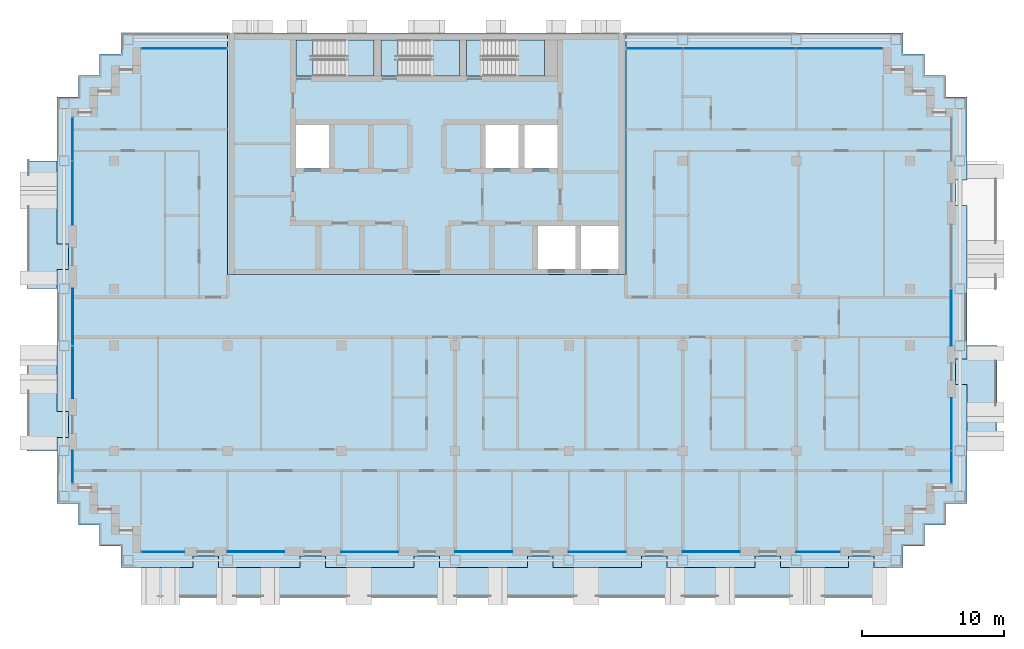
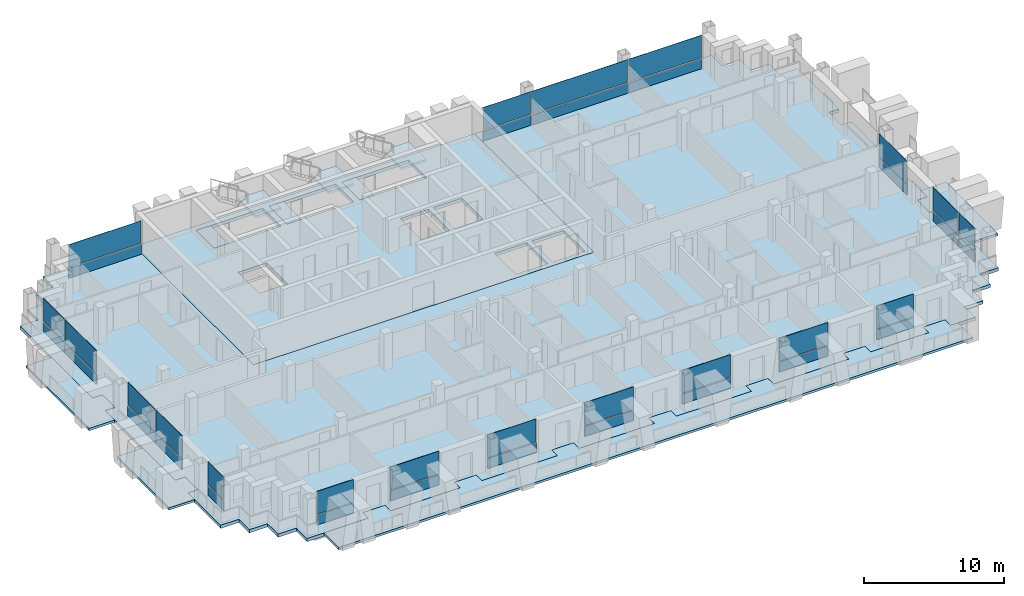
# One storey, part 6 of 16: 38 plates, 12 slabs, 17 elements without a shape of their own.
"""IFC4 building model written with IfcOpenShell, lengths in metres."""

from ifc_helpers import new_model, si_unit, direction, frame, origin, origin_2d, place, context, subcontext, project, spatial, polyline, rectangle, outline, extrude, material, layer, layer_set, type_object, element, aggregate, save


model = new_model("IFC4")

# Units and contexts
model_context = context("Model", 3, precision=1e-05, world=origin(), true_north=direction((0.0, 1.0)))
body_context = subcontext(model_context, "Body", "Model", "MODEL_VIEW")
ifc_project = project(units=[si_unit("LENGTHUNIT", "METRE"), si_unit("AREAUNIT", "SQUARE_METRE"), si_unit("VOLUMEUNIT", "CUBIC_METRE"), si_unit("PLANEANGLEUNIT", "RADIAN"), si_unit("MASSUNIT", "GRAM", prefix="KILO")], contexts=[model_context])

# Site, building, storey
site_placement = place(None, origin())
site = spatial("IfcSite", under=ifc_project, at=site_placement, CompositionType="ELEMENT")
building_placement = place(site_placement, origin())
building = spatial("IfcBuilding", under=site, at=building_placement, Name="Vidyagriha Tower", CompositionType="ELEMENT")
storey_placement = place(building_placement, frame((0.0, 0.0, 181.300048828125)))
storey = spatial("IfcBuildingStorey", under=building, at=storey_placement, Name="L47", CompositionType="ELEMENT", Elevation=181.300048828125)

# Curtain wall, plates
ifc_material_1 = material(Name="Aluminium and glass curtain wall", Category="aluminium")
curtain_wall_type = type_object("IfcCurtainWallType", Name="Dwelling skin unitised curtain wall", PredefinedType="USERDEFINED", material=ifc_material_1)
curtain_wall_1_placement = place(storey_placement, origin())
curtain_wall_1 = element("IfcCurtainWall", 1, at=curtain_wall_1_placement, inside=storey, type_object=curtain_wall_type, Name="CW1 dwelling skin", ObjectType="UNITISED", PredefinedType="USERDEFINED")
ifc_material_2 = material(Name="Glass dark ceramic-fritted spandrel", Category="glass")
ifc_layer_1 = layer(ifc_material_2, 0.0400390625)
ifc_layer_set_1 = layer_set([ifc_layer_1], Name="Glass dark ceramic-fritted spandrel")
plate_type_1 = type_object("IfcPlateType", Name="Ceramic-fritted spandrel panel", PredefinedType="CURTAIN_PANEL", material=ifc_layer_set_1)
plate_1_placement = place(storey_placement, frame((29.032470703125, 18.89990234375, 0.0), z_axis=(0.0, 0.0, 1.0), x_axis=(-1.0, 0.0, 0.0)))
plate_1 = element("IfcPlate", 2, at=plate_1_placement, type_object=plate_type_1, Name="CW1 panel 1.1", PredefinedType="CURTAIN_PANEL", context=body_context, shape_type="SweptSolid", body=[
    extrude(rectangle(XDim=5.9951171875, YDim=0.0400390625, at=origin_2d()), origin(), (0.0, 0.0, 1.0), 0.85009765625),
])
plate_2_placement = place(storey_placement, frame((16.017578125, 18.89990234375, 0.0), z_axis=(0.0, 0.0, 1.0), x_axis=(-1.0, 0.0, 0.0)))
plate_2 = element("IfcPlate", 3, at=plate_2_placement, type_object=plate_type_1, Name="CW1 panel 3.1", PredefinedType="CURTAIN_PANEL", context=body_context, shape_type="SweptSolid", body=[
    extrude(rectangle(XDim=3.89501953125, YDim=0.0400390625, at=origin_2d()), origin(), (0.0, 0.0, 1.0), 0.85009765625),
])

# Curtain wall, plate
curtain_wall_2_placement = place(storey_placement, origin())
curtain_wall_2 = element("IfcCurtainWall", 4, at=curtain_wall_2_placement, inside=storey, type_object=curtain_wall_type, Name="CW1 dwelling skin", ObjectType="UNITISED", PredefinedType="USERDEFINED")
plate_3_placement = place(storey_placement, frame((-17.050048828125, 18.89990234375, 0.0), z_axis=(0.0, 0.0, 1.0), x_axis=(-1.0, 0.0, 0.0)))
plate_3 = element("IfcPlate", 5, at=plate_3_placement, type_object=plate_type_1, Name="CW1 panel 1.1", PredefinedType="CURTAIN_PANEL", context=body_context, shape_type="SweptSolid", body=[
    extrude(rectangle(XDim=5.9599609375, YDim=0.0400390625, at=origin_2d()), origin(), (0.0, 0.0, 1.0), 0.85009765625),
])

# Curtain wall, plates
curtain_wall_3_placement = place(storey_placement, origin())
curtain_wall_3 = element("IfcCurtainWall", 6, at=curtain_wall_3_placement, inside=storey, type_object=curtain_wall_type, Name="CW1 dwelling skin", ObjectType="UNITISED", PredefinedType="USERDEFINED")
plate_4_placement = place(storey_placement, frame((-24.89990234375, 12.532470703125, 0.0), z_axis=(0.0, 0.0, 1.0), x_axis=(0.0, -1.0, 0.0)))
plate_4 = element("IfcPlate", 7, at=plate_4_placement, type_object=plate_type_1, Name="CW1 panel 1.1", PredefinedType="CURTAIN_PANEL", context=body_context, shape_type="SweptSolid", body=[
    extrude(rectangle(XDim=2.9951171875, YDim=0.0400390625, at=origin_2d()), origin(), (0.0, 0.0, 1.0), 0.85009765625),
])
plate_5_placement = place(storey_placement, frame((-24.89990234375, 8.732421875, 0.0), z_axis=(0.0, 0.0, 1.0), x_axis=(0.0, -1.0, 0.0)))
plate_5 = element("IfcPlate", 8, at=plate_5_placement, type_object=plate_type_1, Name="CW1 panel 2.1", PredefinedType="CURTAIN_PANEL", context=body_context, shape_type="SweptSolid", body=[
    extrude(rectangle(XDim=4.465087890625, YDim=0.0400390625, at=origin_2d()), origin(), (0.0, 0.0, 1.0), 0.85009765625),
])

# Curtain wall, plate
curtain_wall_4_placement = place(storey_placement, origin())
curtain_wall_4 = element("IfcCurtainWall", 9, at=curtain_wall_4_placement, inside=storey, type_object=curtain_wall_type, Name="CW1 dwelling skin", ObjectType="UNITISED", PredefinedType="USERDEFINED")
plate_6_placement = place(storey_placement, frame((-24.89990234375, -10.514892578125, 0.0), z_axis=(0.0, 0.0, 1.0), x_axis=(0.0, -1.0, 0.0)))
plate_6 = element("IfcPlate", 10, at=plate_6_placement, type_object=plate_type_1, Name="CW1 panel 1.1", PredefinedType="CURTAIN_PANEL", context=body_context, shape_type="SweptSolid", body=[
    extrude(rectangle(XDim=2.22998046875, YDim=0.0400390625, at=origin_2d()), origin(), (0.0, 0.0, 1.0), 0.85009765625),
])

curtain_wall_5_placement = place(storey_placement, origin())
curtain_wall_5 = element("IfcCurtainWall", 11, at=curtain_wall_5_placement, inside=storey, type_object=curtain_wall_type, Name="CW1 dwelling skin", ObjectType="UNITISED", PredefinedType="USERDEFINED")
plate_7_placement = place(storey_placement, frame((-18.5400390625, -16.5, 0.0)))
plate_7 = element("IfcPlate", 12, at=plate_7_placement, type_object=plate_type_1, Name="CW1 panel 1.1", PredefinedType="CURTAIN_PANEL", context=body_context, shape_type="SweptSolid", body=[
    extrude(rectangle(XDim=2.97998046875, YDim=0.0400390625, at=origin_2d()), origin(), (0.0, 0.0, 1.0), 0.85009765625),
])

curtain_wall_6_placement = place(storey_placement, origin())
curtain_wall_6 = element("IfcCurtainWall", 13, at=curtain_wall_6_placement, inside=storey, type_object=curtain_wall_type, Name="CW1 dwelling skin", ObjectType="UNITISED", PredefinedType="USERDEFINED")
plate_8_placement = place(storey_placement, frame((-4.0, -16.5, 0.0)))
plate_8 = element("IfcPlate", 14, at=plate_8_placement, type_object=plate_type_1, Name="CW1 panel 1.1", PredefinedType="CURTAIN_PANEL", context=body_context, shape_type="SweptSolid", body=[
    extrude(rectangle(XDim=4.0, YDim=0.0400390625, at=origin_2d()), origin(), (0.0, 0.0, 1.0), 0.85009765625),
])

curtain_wall_7_placement = place(storey_placement, origin())
curtain_wall_7 = element("IfcCurtainWall", 15, at=curtain_wall_7_placement, inside=storey, type_object=curtain_wall_type, Name="CW1 dwelling skin", ObjectType="UNITISED", PredefinedType="USERDEFINED")
plate_9_placement = place(storey_placement, frame((12.0, -16.5, 0.0)))
plate_9 = element("IfcPlate", 16, at=plate_9_placement, type_object=plate_type_1, Name="CW1 panel 1.1", PredefinedType="CURTAIN_PANEL", context=body_context, shape_type="SweptSolid", body=[
    extrude(rectangle(XDim=4.0, YDim=0.0400390625, at=origin_2d()), origin(), (0.0, 0.0, 1.0), 0.85009765625),
])

curtain_wall_8_placement = place(storey_placement, origin())
curtain_wall_8 = element("IfcCurtainWall", 17, at=curtain_wall_8_placement, inside=storey, type_object=curtain_wall_type, Name="CW1 dwelling skin", ObjectType="UNITISED", PredefinedType="USERDEFINED")
plate_10_placement = place(storey_placement, frame((27.52490234375, -16.5, 0.0)))
plate_10 = element("IfcPlate", 18, at=plate_10_placement, type_object=plate_type_1, Name="CW1 panel 1.1", PredefinedType="CURTAIN_PANEL", context=body_context, shape_type="SweptSolid", body=[
    extrude(rectangle(XDim=3.050048828125, YDim=0.0400390625, at=origin_2d()), origin(), (0.0, 0.0, 1.0), 0.85009765625),
])

# Curtain wall, plates
curtain_wall_9_placement = place(storey_placement, origin())
curtain_wall_9 = element("IfcCurtainWall", 19, at=curtain_wall_9_placement, inside=storey, type_object=curtain_wall_type, Name="CW1 dwelling skin", ObjectType="UNITISED", PredefinedType="USERDEFINED")
plate_11_placement = place(storey_placement, frame((36.89990234375, -10.532470703125, 0.0), z_axis=(0.0, 0.0, 1.0), x_axis=(0.0, 1.0, 0.0)))
plate_11 = element("IfcPlate", 20, at=plate_11_placement, type_object=plate_type_1, Name="CW1 panel 1.1", PredefinedType="CURTAIN_PANEL", context=body_context, shape_type="SweptSolid", body=[
    extrude(rectangle(XDim=2.195068359375, YDim=0.0400390625, at=origin_2d()), origin(), (0.0, 0.0, 1.0), 0.85009765625),
])
plate_12_placement = place(storey_placement, frame((36.89990234375, -7.532470703125, 0.0), z_axis=(0.0, 0.0, 1.0), x_axis=(0.0, 1.0, 0.0)))
plate_12 = element("IfcPlate", 21, at=plate_12_placement, type_object=plate_type_1, Name="CW1 panel 2.1", PredefinedType="CURTAIN_PANEL", context=body_context, shape_type="SweptSolid", body=[
    extrude(rectangle(XDim=3.6650390625, YDim=0.0400390625, at=origin_2d()), origin(), (0.0, 0.0, 1.0), 0.85009765625),
])

# Slab
ifc_material_3 = material(Name="Concrete C60/75", Category="concrete")
ifc_layer_2 = layer(ifc_material_3, 0.280029296875)
ifc_layer_set_2 = layer_set([ifc_layer_2], Name="Concrete C60/75")
slab_type_1 = type_object("IfcSlabType", Name="Core floor slab 280 mm", PredefinedType="FLOOR", material=ifc_layer_set_2)
slab_1_placement = place(storey_placement, frame((0.0, 0.0, -0.280029296875)))
element("IfcSlab", 22, at=slab_1_placement, inside=storey, type_object=slab_type_1, Name="L47 core floor 1", PredefinedType="FLOOR", context=body_context, shape_type="SweptSolid", body=[
    extrude(outline(polyline([(-14.0, 3.0), (-14.0, 20.0), (14.0, 20.0), (14.0, 3.0), (-14.0, 3.0)]), holes=[polyline([(13.5, 6.39990234375), (10.855712890625, 6.39990234375), (10.855712890625, 3.39990234375), (13.5, 3.39990234375), (13.5, 6.39990234375)]), polyline([(10.45556640625, 6.39990234375), (7.81103515625, 6.39990234375), (7.81103515625, 3.39990234375), (10.45556640625, 3.39990234375), (10.45556640625, 6.39990234375)]), polyline([(9.199951171875, 13.5), (6.86669921875, 13.5), (6.86669921875, 10.5), (9.199951171875, 10.5), (9.199951171875, 13.5)]), polyline([(2.800048828125, 19.5), (2.800048828125, 16.949951171875), (4.0, 16.949951171875), (8.300048828125, 16.949951171875), (8.300048828125, 19.5), (4.0, 19.5), (2.800048828125, 19.5)]), polyline([(4.13330078125, 13.5), (4.13330078125, 10.5), (6.466796875, 10.5), (6.466796875, 13.5), (4.13330078125, 13.5)]), polyline([(-2.0, 19.5), (-3.199951171875, 19.5), (-3.199951171875, 16.949951171875), (-2.0, 16.949951171875), (2.300048828125, 16.949951171875), (2.300048828125, 19.5), (-2.0, 19.5)]), polyline([(-9.199951171875, 19.5), (-9.199951171875, 16.949951171875), (-8.0, 16.949951171875), (-3.699951171875, 16.949951171875), (-3.699951171875, 19.5), (-8.0, 19.5), (-9.199951171875, 19.5)]), polyline([(-9.199951171875, 13.5), (-9.199951171875, 10.5), (-6.86669921875, 10.5), (-6.86669921875, 13.5), (-9.199951171875, 13.5)])]), origin(), (0.0, 0.0, 1.0), 0.280029296875),
])

# Plate
ifc_material_4 = material(Name="Glass dark ceramic-fritted", Category="glass")
ifc_layer_3 = layer(ifc_material_4, 0.028076171875)
ifc_layer_set_3 = layer_set([ifc_layer_3], Name="Glass dark ceramic-fritted")
plate_type_2 = type_object("IfcPlateType", Name="Dark ceramic-fritted vision glass panel", PredefinedType="CURTAIN_PANEL", material=ifc_layer_set_3)
plate_13_placement = place(storey_placement, frame((29.032470703125, 18.89990234375, 0.9501953125), z_axis=(0.0, 0.0, 1.0), x_axis=(-1.0, 0.0, 0.0)))
plate_13 = element("IfcPlate", 23, at=plate_13_placement, type_object=plate_type_2, Name="CW1 panel 1.2", PredefinedType="CURTAIN_PANEL", context=body_context, shape_type="SweptSolid", body=[
    extrude(rectangle(XDim=5.9951171875, YDim=0.028076171875, at=origin_2d()), origin(), (0.0, 0.0, 1.0), 1.969970703125),
])

plate_14_placement = place(storey_placement, frame((22.0, 18.89990234375, 0.9501953125), z_axis=(0.0, 0.0, 1.0), x_axis=(-1.0, 0.0, 0.0)))
plate_14 = element("IfcPlate", 24, at=plate_14_placement, type_object=plate_type_2, Name="CW1 panel 2.2", PredefinedType="CURTAIN_PANEL", context=body_context, shape_type="SweptSolid", body=[
    extrude(rectangle(XDim=7.929931640625, YDim=0.028076171875, at=origin_2d()), origin(), (0.0, 0.0, 1.0), 1.969970703125),
])

plate_15_placement = place(storey_placement, frame((16.017578125, 18.89990234375, 0.9501953125), z_axis=(0.0, 0.0, 1.0), x_axis=(-1.0, 0.0, 0.0)))
plate_15 = element("IfcPlate", 25, at=plate_15_placement, type_object=plate_type_2, Name="CW1 panel 3.2", PredefinedType="CURTAIN_PANEL", context=body_context, shape_type="SweptSolid", body=[
    extrude(rectangle(XDim=3.89501953125, YDim=0.028076171875, at=origin_2d()), origin(), (0.0, 0.0, 1.0), 1.969970703125),
])

plate_16_placement = place(storey_placement, frame((-17.050048828125, 18.89990234375, 0.9501953125), z_axis=(0.0, 0.0, 1.0), x_axis=(-1.0, 0.0, 0.0)))
plate_16 = element("IfcPlate", 26, at=plate_16_placement, type_object=plate_type_2, Name="CW1 panel 1.2", PredefinedType="CURTAIN_PANEL", context=body_context, shape_type="SweptSolid", body=[
    extrude(rectangle(XDim=5.9599609375, YDim=0.028076171875, at=origin_2d()), origin(), (0.0, 0.0, 1.0), 1.969970703125),
])

aggregate(curtain_wall_2, [plate_3, plate_16])

plate_17_placement = place(storey_placement, frame((-24.89990234375, 12.532470703125, 0.9501953125), z_axis=(0.0, 0.0, 1.0), x_axis=(0.0, -1.0, 0.0)))
plate_17 = element("IfcPlate", 27, at=plate_17_placement, type_object=plate_type_2, Name="CW1 panel 1.2", PredefinedType="CURTAIN_PANEL", context=body_context, shape_type="SweptSolid", body=[
    extrude(rectangle(XDim=2.9951171875, YDim=0.028076171875, at=origin_2d()), origin(), (0.0, 0.0, 1.0), 1.969970703125),
])

plate_18_placement = place(storey_placement, frame((-24.89990234375, 8.732421875, 0.9501953125), z_axis=(0.0, 0.0, 1.0), x_axis=(0.0, -1.0, 0.0)))
plate_18 = element("IfcPlate", 28, at=plate_18_placement, type_object=plate_type_2, Name="CW1 panel 2.2", PredefinedType="CURTAIN_PANEL", context=body_context, shape_type="SweptSolid", body=[
    extrude(rectangle(XDim=4.465087890625, YDim=0.028076171875, at=origin_2d()), origin(), (0.0, 0.0, 1.0), 1.969970703125),
])

aggregate(curtain_wall_3, [plate_4, plate_17, plate_5, plate_18])

# Curtain wall, plates
curtain_wall_10_placement = place(storey_placement, origin())
curtain_wall_10 = element("IfcCurtainWall", 29, at=curtain_wall_10_placement, inside=storey, type_object=curtain_wall_type, Name="CW1 dwelling skin", ObjectType="UNITISED", PredefinedType="USERDEFINED")
plate_19_placement = place(storey_placement, frame((-24.89990234375, 0.017578125, 0.9501953125), z_axis=(0.0, 0.0, 1.0), x_axis=(0.0, -1.0, 0.0)))
plate_19 = element("IfcPlate", 30, at=plate_19_placement, type_object=plate_type_2, Name="CW1 panel 1.2", PredefinedType="CURTAIN_PANEL", context=body_context, shape_type="SweptSolid", body=[
    extrude(rectangle(XDim=3.965087890625, YDim=0.028076171875, at=origin_2d()), origin(), (0.0, 0.0, 1.0), 1.969970703125),
])
plate_20_placement = place(storey_placement, frame((-24.89990234375, -3.867431640625, 0.9501953125), z_axis=(0.0, 0.0, 1.0), x_axis=(0.0, -1.0, 0.0)))
plate_20 = element("IfcPlate", 31, at=plate_20_placement, type_object=plate_type_2, Name="CW1 panel 2.2", PredefinedType="CURTAIN_PANEL", context=body_context, shape_type="SweptSolid", body=[
    extrude(rectangle(XDim=3.6650390625, YDim=0.028076171875, at=origin_2d()), origin(), (0.0, 0.0, 1.0), 1.969970703125),
])

# Plate
plate_21_placement = place(storey_placement, frame((-24.89990234375, -10.514892578125, 0.9501953125), z_axis=(0.0, 0.0, 1.0), x_axis=(0.0, -1.0, 0.0)))
plate_21 = element("IfcPlate", 32, at=plate_21_placement, type_object=plate_type_2, Name="CW1 panel 1.2", PredefinedType="CURTAIN_PANEL", context=body_context, shape_type="SweptSolid", body=[
    extrude(rectangle(XDim=2.22998046875, YDim=0.028076171875, at=origin_2d()), origin(), (0.0, 0.0, 1.0), 1.969970703125),
])

aggregate(curtain_wall_4, [plate_6, plate_21])

plate_22_placement = place(storey_placement, frame((-18.5400390625, -16.5, 0.9501953125)))
plate_22 = element("IfcPlate", 33, at=plate_22_placement, type_object=plate_type_2, Name="CW1 panel 1.2", PredefinedType="CURTAIN_PANEL", context=body_context, shape_type="SweptSolid", body=[
    extrude(rectangle(XDim=2.97998046875, YDim=0.028076171875, at=origin_2d()), origin(), (0.0, 0.0, 1.0), 1.969970703125),
])

aggregate(curtain_wall_5, [plate_7, plate_22])

# Curtain wall, plate
curtain_wall_11_placement = place(storey_placement, origin())
curtain_wall_11 = element("IfcCurtainWall", 34, at=curtain_wall_11_placement, inside=storey, type_object=curtain_wall_type, Name="CW1 dwelling skin", ObjectType="UNITISED", PredefinedType="USERDEFINED")
plate_23_placement = place(storey_placement, frame((-12.0, -16.5, 0.9501953125)))
plate_23 = element("IfcPlate", 35, at=plate_23_placement, type_object=plate_type_2, Name="CW1 panel 1.2", PredefinedType="CURTAIN_PANEL", context=body_context, shape_type="SweptSolid", body=[
    extrude(rectangle(XDim=4.0, YDim=0.028076171875, at=origin_2d()), origin(), (0.0, 0.0, 1.0), 1.969970703125),
])

# Plate
plate_24_placement = place(storey_placement, frame((-4.0, -16.5, 0.9501953125)))
plate_24 = element("IfcPlate", 36, at=plate_24_placement, type_object=plate_type_2, Name="CW1 panel 1.2", PredefinedType="CURTAIN_PANEL", context=body_context, shape_type="SweptSolid", body=[
    extrude(rectangle(XDim=4.0, YDim=0.028076171875, at=origin_2d()), origin(), (0.0, 0.0, 1.0), 1.969970703125),
])

aggregate(curtain_wall_6, [plate_8, plate_24])

# Curtain wall, plate
curtain_wall_12_placement = place(storey_placement, origin())
curtain_wall_12 = element("IfcCurtainWall", 37, at=curtain_wall_12_placement, inside=storey, type_object=curtain_wall_type, Name="CW1 dwelling skin", ObjectType="UNITISED", PredefinedType="USERDEFINED")
plate_25_placement = place(storey_placement, frame((4.0, -16.5, 0.9501953125)))
plate_25 = element("IfcPlate", 38, at=plate_25_placement, type_object=plate_type_2, Name="CW1 panel 1.2", PredefinedType="CURTAIN_PANEL", context=body_context, shape_type="SweptSolid", body=[
    extrude(rectangle(XDim=4.0, YDim=0.028076171875, at=origin_2d()), origin(), (0.0, 0.0, 1.0), 1.969970703125),
])

# Plate
plate_26_placement = place(storey_placement, frame((12.0, -16.5, 0.9501953125)))
plate_26 = element("IfcPlate", 39, at=plate_26_placement, type_object=plate_type_2, Name="CW1 panel 1.2", PredefinedType="CURTAIN_PANEL", context=body_context, shape_type="SweptSolid", body=[
    extrude(rectangle(XDim=4.0, YDim=0.028076171875, at=origin_2d()), origin(), (0.0, 0.0, 1.0), 1.969970703125),
])

aggregate(curtain_wall_7, [plate_9, plate_26])

# Curtain wall, plate
curtain_wall_13_placement = place(storey_placement, origin())
curtain_wall_13 = element("IfcCurtainWall", 40, at=curtain_wall_13_placement, inside=storey, type_object=curtain_wall_type, Name="CW1 dwelling skin", ObjectType="UNITISED", PredefinedType="USERDEFINED")
plate_27_placement = place(storey_placement, frame((20.0, -16.5, 0.9501953125)))
plate_27 = element("IfcPlate", 41, at=plate_27_placement, type_object=plate_type_2, Name="CW1 panel 1.2", PredefinedType="CURTAIN_PANEL", context=body_context, shape_type="SweptSolid", body=[
    extrude(rectangle(XDim=4.0, YDim=0.028076171875, at=origin_2d()), origin(), (0.0, 0.0, 1.0), 1.969970703125),
])

# Plate
plate_28_placement = place(storey_placement, frame((27.52490234375, -16.5, 0.9501953125)))
plate_28 = element("IfcPlate", 42, at=plate_28_placement, type_object=plate_type_2, Name="CW1 panel 1.2", PredefinedType="CURTAIN_PANEL", context=body_context, shape_type="SweptSolid", body=[
    extrude(rectangle(XDim=3.050048828125, YDim=0.028076171875, at=origin_2d()), origin(), (0.0, 0.0, 1.0), 1.969970703125),
])

aggregate(curtain_wall_8, [plate_10, plate_28])

plate_29_placement = place(storey_placement, frame((36.89990234375, -10.532470703125, 0.9501953125), z_axis=(0.0, 0.0, 1.0), x_axis=(0.0, 1.0, 0.0)))
plate_29 = element("IfcPlate", 43, at=plate_29_placement, type_object=plate_type_2, Name="CW1 panel 1.2", PredefinedType="CURTAIN_PANEL", context=body_context, shape_type="SweptSolid", body=[
    extrude(rectangle(XDim=2.195068359375, YDim=0.028076171875, at=origin_2d()), origin(), (0.0, 0.0, 1.0), 1.969970703125),
])

plate_30_placement = place(storey_placement, frame((36.89990234375, -7.532470703125, 0.9501953125), z_axis=(0.0, 0.0, 1.0), x_axis=(0.0, 1.0, 0.0)))
plate_30 = element("IfcPlate", 44, at=plate_30_placement, type_object=plate_type_2, Name="CW1 panel 2.2", PredefinedType="CURTAIN_PANEL", context=body_context, shape_type="SweptSolid", body=[
    extrude(rectangle(XDim=3.6650390625, YDim=0.028076171875, at=origin_2d()), origin(), (0.0, 0.0, 1.0), 1.969970703125),
])

aggregate(curtain_wall_9, [plate_11, plate_29, plate_12, plate_30])

# Curtain wall, plate
curtain_wall_14_placement = place(storey_placement, origin())
curtain_wall_14 = element("IfcCurtainWall", 45, at=curtain_wall_14_placement, inside=storey, type_object=curtain_wall_type, Name="CW1 dwelling skin", ObjectType="UNITISED", PredefinedType="USERDEFINED")
plate_31_placement = place(storey_placement, frame((36.89990234375, -0.017578125, 0.9501953125), z_axis=(0.0, 0.0, 1.0), x_axis=(0.0, 1.0, 0.0)))
plate_31 = element("IfcPlate", 46, at=plate_31_placement, type_object=plate_type_2, Name="CW1 panel 1.2", PredefinedType="CURTAIN_PANEL", context=body_context, shape_type="SweptSolid", body=[
    extrude(rectangle(XDim=3.965087890625, YDim=0.028076171875, at=origin_2d()), origin(), (0.0, 0.0, 1.0), 1.969970703125),
])

# Slabs
ifc_material_5 = material(Name="Concrete C40/50", Category="concrete")
ifc_layer_4 = layer(ifc_material_5, 0.280029296875)
ifc_layer_set_4 = layer_set([ifc_layer_4], Name="Concrete C40/50")
slab_type_2 = type_object("IfcSlabType", Name="Exit stair floor landing 280 mm", PredefinedType="LANDING", material=ifc_layer_set_4)
slab_2_placement = place(storey_placement, frame((0.0, 0.0, -0.280029296875)))
element("IfcSlab", 47, at=slab_2_placement, inside=storey, type_object=slab_type_2, Name="ST1 floor landing L47", PredefinedType="LANDING", context=body_context, shape_type="SweptSolid", body=[
    extrude(outline(polyline([(-9.199951171875, 16.949951171875), (-8.0, 16.949951171875), (-8.0, 19.5), (-9.199951171875, 19.5), (-9.199951171875, 16.949951171875)])), origin(), (0.0, 0.0, 1.0), 0.280029296875),
])
slab_3_placement = place(storey_placement, frame((0.0, 0.0, -0.280029296875)))
element("IfcSlab", 48, at=slab_3_placement, inside=storey, type_object=slab_type_2, Name="ST2 floor landing L47", PredefinedType="LANDING", context=body_context, shape_type="SweptSolid", body=[
    extrude(outline(polyline([(-3.199951171875, 16.949951171875), (-2.0, 16.949951171875), (-2.0, 19.5), (-3.199951171875, 19.5), (-3.199951171875, 16.949951171875)])), origin(), (0.0, 0.0, 1.0), 0.280029296875),
])
slab_4_placement = place(storey_placement, frame((0.0, 0.0, -0.280029296875)))
element("IfcSlab", 49, at=slab_4_placement, inside=storey, type_object=slab_type_2, Name="ST3 floor landing L47", PredefinedType="LANDING", context=body_context, shape_type="SweptSolid", body=[
    extrude(outline(polyline([(2.800048828125, 16.949951171875), (4.0, 16.949951171875), (4.0, 19.5), (2.800048828125, 19.5), (2.800048828125, 16.949951171875)])), origin(), (0.0, 0.0, 1.0), 0.280029296875),
])

# Stair, slab
ifc_material_6 = material(Name="Concrete C40/50", Category="concrete")
stair_type = type_object("IfcStairType", Name="Exit stair, half-turn, precast flights", PredefinedType="HALF_TURN_STAIR", material=ifc_material_6)
stair_1_placement = place(storey_placement, origin())
stair_1 = element("IfcStair", 50, at=stair_1_placement, inside=storey, type_object=stair_type, Name="L47 Exit Stair ST1", PredefinedType="HALF_TURN_STAIR")
ifc_material_7 = material(Name="Concrete C40/50", Category="concrete")
ifc_layer_5 = layer(ifc_material_7, 0.199951171875)
ifc_layer_set_5 = layer_set([ifc_layer_5], Name="Concrete C40/50")
slab_type_3 = type_object("IfcSlabType", Name="Exit stair landing 200 mm", PredefinedType="LANDING", material=ifc_layer_set_5)
slab_5_placement = place(storey_placement, frame((0.0, 0.0, 1.39990234375)))
slab_5 = element("IfcSlab", 51, at=slab_5_placement, type_object=slab_type_3, Name="ST1 landing 1", PredefinedType="LANDING", context=body_context, shape_type="SweptSolid", body=[
    extrude(outline(polyline([(-5.760009765625, 16.949951171875), (-3.699951171875, 16.949951171875), (-3.699951171875, 19.5), (-5.760009765625, 19.5), (-5.760009765625, 16.949951171875)])), origin(), (0.0, 0.0, 1.0), 0.199951171875),
])
aggregate(stair_1, [slab_5])

stair_2_placement = place(storey_placement, origin())
stair_2 = element("IfcStair", 52, at=stair_2_placement, inside=storey, type_object=stair_type, Name="L47 Exit Stair ST2", PredefinedType="HALF_TURN_STAIR")
slab_6_placement = place(storey_placement, frame((0.0, 0.0, 1.39990234375)))
slab_6 = element("IfcSlab", 53, at=slab_6_placement, type_object=slab_type_3, Name="ST2 landing 1", PredefinedType="LANDING", context=body_context, shape_type="SweptSolid", body=[
    extrude(outline(polyline([(0.239990234375, 16.949951171875), (2.300048828125, 16.949951171875), (2.300048828125, 19.5), (0.239990234375, 19.5), (0.239990234375, 16.949951171875)])), origin(), (0.0, 0.0, 1.0), 0.199951171875),
])
aggregate(stair_2, [slab_6])

stair_3_placement = place(storey_placement, origin())
stair_3 = element("IfcStair", 54, at=stair_3_placement, inside=storey, type_object=stair_type, Name="L47 Exit Stair ST3", PredefinedType="HALF_TURN_STAIR")
slab_7_placement = place(storey_placement, frame((0.0, 0.0, 1.39990234375)))
slab_7 = element("IfcSlab", 55, at=slab_7_placement, type_object=slab_type_3, Name="ST3 landing 1", PredefinedType="LANDING", context=body_context, shape_type="SweptSolid", body=[
    extrude(outline(polyline([(6.239990234375, 16.949951171875), (8.300048828125, 16.949951171875), (8.300048828125, 19.5), (6.239990234375, 19.5), (6.239990234375, 16.949951171875)])), origin(), (0.0, 0.0, 1.0), 0.199951171875),
])
aggregate(stair_3, [slab_7])

# Plate
ifc_material_8 = material(Name="Aluminium black anodised", Category="aluminium")
ifc_layer_6 = layer(ifc_material_8, 0.06005859375)
ifc_layer_set_6 = layer_set([ifc_layer_6], Name="Aluminium black anodised")
plate_type_3 = type_object("IfcPlateType", Name="Operable black-metal vent panel", PredefinedType="CURTAIN_PANEL", material=ifc_layer_set_6)
plate_32_placement = place(storey_placement, frame((22.0, 18.89990234375, 0.0), z_axis=(0.0, 0.0, 1.0), x_axis=(-1.0, 0.0, 0.0)))
plate_32 = element("IfcPlate", 56, at=plate_32_placement, type_object=plate_type_3, Name="CW1 panel 2.1", PredefinedType="CURTAIN_PANEL", context=body_context, shape_type="SweptSolid", body=[
    extrude(rectangle(XDim=7.929931640625, YDim=0.06005859375, at=origin_2d()), origin(), (0.0, 0.0, 1.0), 0.85009765625),
])

aggregate(curtain_wall_1, [plate_1, plate_13, plate_32, plate_14, plate_2, plate_15])

plate_33_placement = place(storey_placement, frame((-24.89990234375, 0.017578125, 0.0), z_axis=(0.0, 0.0, 1.0), x_axis=(0.0, -1.0, 0.0)))
plate_33 = element("IfcPlate", 57, at=plate_33_placement, type_object=plate_type_3, Name="CW1 panel 1.1", PredefinedType="CURTAIN_PANEL", context=body_context, shape_type="SweptSolid", body=[
    extrude(rectangle(XDim=3.965087890625, YDim=0.06005859375, at=origin_2d()), origin(), (0.0, 0.0, 1.0), 0.85009765625),
])

plate_34_placement = place(storey_placement, frame((-24.89990234375, -3.867431640625, 0.0), z_axis=(0.0, 0.0, 1.0), x_axis=(0.0, -1.0, 0.0)))
plate_34 = element("IfcPlate", 58, at=plate_34_placement, type_object=plate_type_3, Name="CW1 panel 2.1", PredefinedType="CURTAIN_PANEL", context=body_context, shape_type="SweptSolid", body=[
    extrude(rectangle(XDim=3.6650390625, YDim=0.06005859375, at=origin_2d()), origin(), (0.0, 0.0, 1.0), 0.85009765625),
])

aggregate(curtain_wall_10, [plate_33, plate_19, plate_34, plate_20])

plate_35_placement = place(storey_placement, frame((-12.0, -16.5, 0.0)))
plate_35 = element("IfcPlate", 59, at=plate_35_placement, type_object=plate_type_3, Name="CW1 panel 1.1", PredefinedType="CURTAIN_PANEL", context=body_context, shape_type="SweptSolid", body=[
    extrude(rectangle(XDim=4.0, YDim=0.06005859375, at=origin_2d()), origin(), (0.0, 0.0, 1.0), 0.85009765625),
])

aggregate(curtain_wall_11, [plate_35, plate_23])

plate_36_placement = place(storey_placement, frame((4.0, -16.5, 0.0)))
plate_36 = element("IfcPlate", 60, at=plate_36_placement, type_object=plate_type_3, Name="CW1 panel 1.1", PredefinedType="CURTAIN_PANEL", context=body_context, shape_type="SweptSolid", body=[
    extrude(rectangle(XDim=4.0, YDim=0.06005859375, at=origin_2d()), origin(), (0.0, 0.0, 1.0), 0.85009765625),
])

aggregate(curtain_wall_12, [plate_36, plate_25])

plate_37_placement = place(storey_placement, frame((20.0, -16.5, 0.0)))
plate_37 = element("IfcPlate", 61, at=plate_37_placement, type_object=plate_type_3, Name="CW1 panel 1.1", PredefinedType="CURTAIN_PANEL", context=body_context, shape_type="SweptSolid", body=[
    extrude(rectangle(XDim=4.0, YDim=0.06005859375, at=origin_2d()), origin(), (0.0, 0.0, 1.0), 0.85009765625),
])

aggregate(curtain_wall_13, [plate_37, plate_27])

plate_38_placement = place(storey_placement, frame((36.89990234375, -0.017578125, 0.0), z_axis=(0.0, 0.0, 1.0), x_axis=(0.0, 1.0, 0.0)))
plate_38 = element("IfcPlate", 62, at=plate_38_placement, type_object=plate_type_3, Name="CW1 panel 1.1", PredefinedType="CURTAIN_PANEL", context=body_context, shape_type="SweptSolid", body=[
    extrude(rectangle(XDim=3.965087890625, YDim=0.06005859375, at=origin_2d()), origin(), (0.0, 0.0, 1.0), 0.85009765625),
])

aggregate(curtain_wall_14, [plate_38, plate_31])

# Slabs
ifc_material_9 = material(Name="Concrete C50/60", Category="concrete")
ifc_layer_7 = layer(ifc_material_9, 0.280029296875)
ifc_layer_set_7 = layer_set([ifc_layer_7], Name="Concrete C50/60")
slab_type_4 = type_object("IfcSlabType", Name="Post-tensioned flat plate 280", PredefinedType="FLOOR", material=ifc_layer_set_7)
slab_8_placement = place(storey_placement, frame((0.0, 0.0, -0.280029296875)))
element("IfcSlab", 63, at=slab_8_placement, inside=storey, type_object=slab_type_4, Name="st-slab-L47-1", PredefinedType="FLOOR", context=body_context, shape_type="SweptSolid", body=[
    extrude(outline(polyline([(36.5, -14.60009765625), (35.0, -14.60009765625), (35.0, -16.10009765625), (33.5, -16.10009765625), (33.5, -17.60009765625), (31.47509765625, -17.60009765625), (31.47509765625, -16.800048828125), (29.675048828125, -16.800048828125), (29.675048828125, -17.60009765625), (24.89990234375, -17.60009765625), (24.89990234375, -16.800048828125), (23.10009765625, -16.800048828125), (23.10009765625, -17.60009765625), (16.89990234375, -17.60009765625), (16.89990234375, -16.800048828125), (15.10009765625, -16.800048828125), (15.10009765625, -17.60009765625), (8.89990234375, -17.60009765625), (8.89990234375, -16.800048828125), (7.10009765625, -16.800048828125), (7.10009765625, -17.60009765625), (0.89990234375, -17.60009765625), (0.89990234375, -16.800048828125), (-0.89990234375, -16.800048828125), (-0.89990234375, -17.60009765625), (-7.10009765625, -17.60009765625), (-7.10009765625, -16.800048828125), (-8.89990234375, -16.800048828125), (-8.89990234375, -17.60009765625), (-14.625, -17.60009765625), (-14.625, -16.800048828125), (-16.425048828125, -16.800048828125), (-16.425048828125, -17.60009765625), (-21.5, -17.60009765625), (-21.5, -16.10009765625), (-23.0, -16.10009765625), (-23.0, -14.60009765625), (-24.5, -14.60009765625), (-24.5, -13.10009765625), (-26.0, -13.10009765625), (-26.0, -8.449951171875), (-25.199951171875, -8.449951171875), (-25.199951171875, -6.64990234375), (-26.0, -6.64990234375), (-26.0, 3.35009765625), (-25.199951171875, 3.35009765625), (-25.199951171875, 5.14990234375), (-26.0, 5.14990234375), (-26.0, 15.5), (-24.5, 15.5), (-24.5, 17.0), (-23.0, 17.0), (-23.0, 18.5), (-21.5, 18.5), (-21.5, 20.0), (-14.0, 20.0), (-14.0, 3.0), (14.0, 3.0), (14.0, 20.0), (33.5, 20.0), (33.5, 18.5), (35.0, 18.5), (35.0, 17.0), (36.5, 17.0), (36.5, 15.5), (38.0, 15.5), (38.0, 9.64990234375), (37.199951171875, 9.64990234375), (37.199951171875, 7.85009765625), (38.0, 7.85009765625), (38.0, -2.949951171875), (37.199951171875, -2.949951171875), (37.199951171875, -4.75), (38.0, -4.75), (38.0, -13.10009765625), (36.5, -13.10009765625), (36.5, -14.60009765625)])), origin(), (0.0, 0.0, 1.0), 0.280029296875),
])
ifc_material_10 = material(Name="Precast concrete C40/50", Category="concrete")
ifc_layer_8 = layer(ifc_material_10, 0.199951171875)
ifc_layer_set_8 = layer_set([ifc_layer_8], Name="Precast concrete C40/50")
slab_type_5 = type_object("IfcSlabType", Name="Precast balcony slab 200", PredefinedType="USERDEFINED", material=ifc_layer_set_8)
slab_9_placement = place(storey_placement, frame((0.0, 0.0, -0.199951171875)))
element("IfcSlab", 64, at=slab_9_placement, inside=storey, type_object=slab_type_5, Name="Balcony slab L47 R16.1-1", ObjectType="BALCONY", PredefinedType="USERDEFINED", context=body_context, shape_type="SweptSolid", body=[
    extrude(outline(polyline([(-25.199951171875, 3.35009765625), (-25.199951171875, 5.14990234375), (-26.0, 5.14990234375), (-26.0, 11.0), (-28.10009765625, 11.0), (-28.10009765625, 2.0), (-26.0, 2.0), (-26.0, 3.35009765625), (-25.199951171875, 3.35009765625)])), origin(), (0.0, 0.0, 1.0), 0.199951171875),
])
slab_10_placement = place(storey_placement, frame((0.0, 0.0, -0.199951171875)))
element("IfcSlab", 65, at=slab_10_placement, inside=storey, type_object=slab_type_5, Name="Balcony slab L47 R16.2-2", ObjectType="BALCONY", PredefinedType="USERDEFINED", context=body_context, shape_type="SweptSolid", body=[
    extrude(outline(polyline([(-25.199951171875, -8.449951171875), (-25.199951171875, -6.64990234375), (-26.0, -6.64990234375), (-26.0, -2.0), (-28.10009765625, -2.0), (-28.10009765625, -9.39990234375), (-26.0, -9.39990234375), (-26.0, -8.449951171875), (-25.199951171875, -8.449951171875)])), origin(), (0.0, 0.0, 1.0), 0.199951171875),
])
slab_11_placement = place(storey_placement, frame((0.0, 0.0, -0.199951171875)))
element("IfcSlab", 66, at=slab_11_placement, inside=storey, type_object=slab_type_5, Name="Balcony slab L47 R23.1-7", ObjectType="BALCONY", PredefinedType="USERDEFINED", context=body_context, shape_type="SweptSolid", body=[
    extrude(outline(polyline([(-14.625, -16.800048828125), (-16.425048828125, -16.800048828125), (-16.425048828125, -17.60009765625), (-20.10009765625, -17.60009765625), (-20.10009765625, -19.699951171875), (32.10009765625, -19.699951171875), (32.10009765625, -17.60009765625), (31.47509765625, -17.60009765625), (31.47509765625, -16.800048828125), (29.675048828125, -16.800048828125), (29.675048828125, -17.60009765625), (24.89990234375, -17.60009765625), (24.89990234375, -16.800048828125), (23.10009765625, -16.800048828125), (23.10009765625, -17.60009765625), (16.89990234375, -17.60009765625), (16.89990234375, -16.800048828125), (15.10009765625, -16.800048828125), (15.10009765625, -17.60009765625), (8.89990234375, -17.60009765625), (8.89990234375, -16.800048828125), (7.10009765625, -16.800048828125), (7.10009765625, -17.60009765625), (0.89990234375, -17.60009765625), (0.89990234375, -16.800048828125), (-0.89990234375, -16.800048828125), (-0.89990234375, -17.60009765625), (-7.10009765625, -17.60009765625), (-7.10009765625, -16.800048828125), (-8.89990234375, -16.800048828125), (-8.89990234375, -17.60009765625), (-14.625, -17.60009765625), (-14.625, -16.800048828125)])), origin(), (0.0, 0.0, 1.0), 0.199951171875),
])
slab_12_placement = place(storey_placement, frame((0.0, 0.0, -0.199951171875)))
element("IfcSlab", 67, at=slab_12_placement, inside=storey, type_object=slab_type_5, Name="Balcony slab L47 R30.1-1", ObjectType="BALCONY", PredefinedType="USERDEFINED", context=body_context, shape_type="SweptSolid", body=[
    extrude(outline(polyline([(38.0, -4.75), (38.0, -9.39990234375), (40.10009765625, -9.39990234375), (40.10009765625, -2.0), (38.0, -2.0), (38.0, -2.949951171875), (37.199951171875, -2.949951171875), (37.199951171875, -4.75), (38.0, -4.75)])), origin(), (0.0, 0.0, 1.0), 0.199951171875),
])

save(model, "model.ifc")
